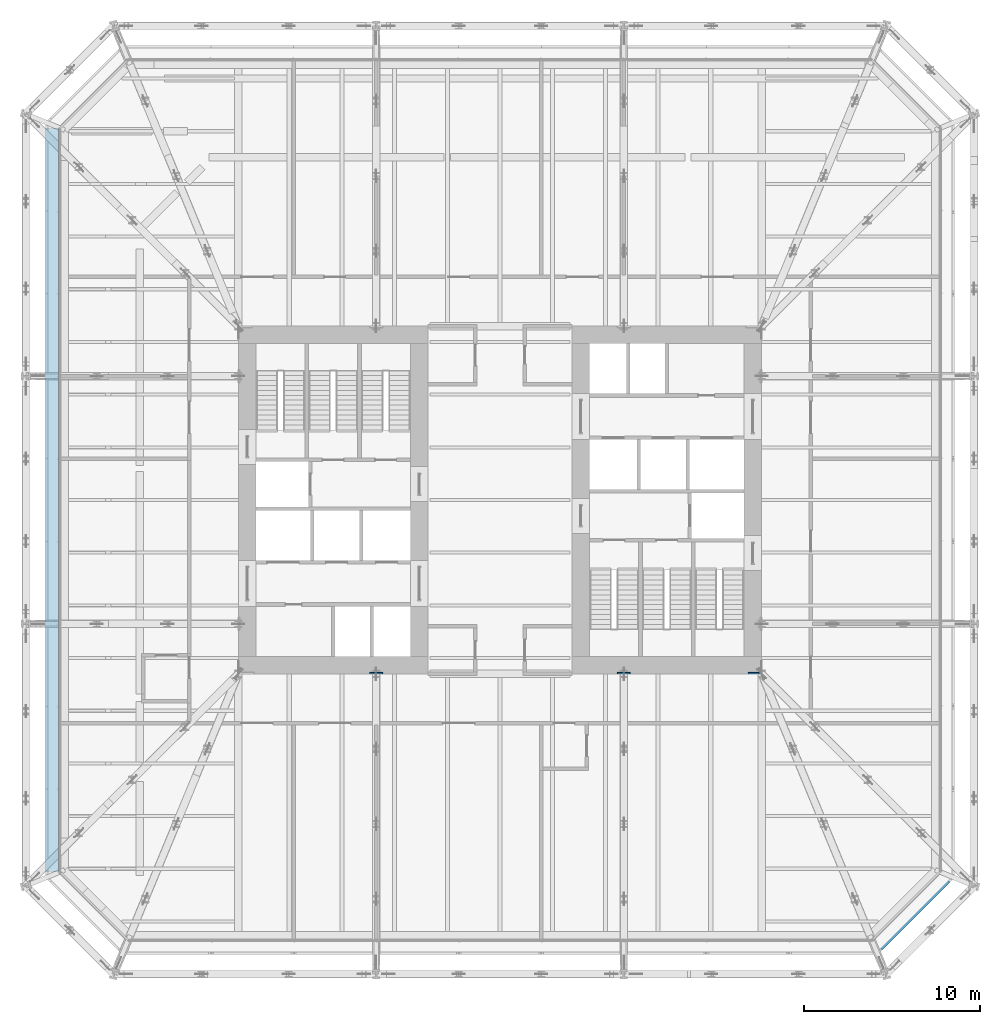
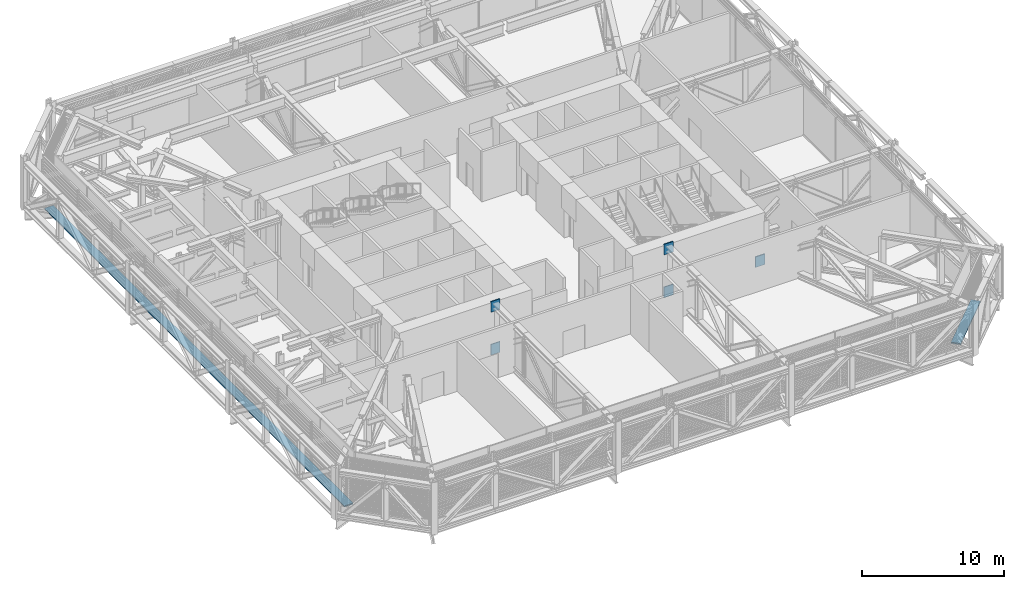
# One storey, part 26 of 33: 7 discrete accessories.
"""IFC4 building model written with IfcOpenShell, lengths in metres."""

from ifc_helpers import new_model, si_unit, direction, frame, origin, origin_2d, place, context, subcontext, project, spatial, rectangle, extrude, material, layer, layer_set, type_object, element, save


model = new_model("IFC4")

# Units and contexts
model_context = context("Model", 3, precision=1e-05, world=origin(), true_north=direction((0.0, 1.0)))
body_context = subcontext(model_context, "Body", "Model", "MODEL_VIEW")
ifc_project = project(units=[si_unit("LENGTHUNIT", "METRE"), si_unit("AREAUNIT", "SQUARE_METRE"), si_unit("VOLUMEUNIT", "CUBIC_METRE"), si_unit("PLANEANGLEUNIT", "RADIAN"), si_unit("MASSUNIT", "GRAM", prefix="KILO")], contexts=[model_context])

# Site, building, storey
site_placement = place(None, origin())
site = spatial("IfcSite", under=ifc_project, at=site_placement, CompositionType="ELEMENT")
building_placement = place(site_placement, origin())
building = spatial("IfcBuilding", under=site, at=building_placement, Name="Millrace Tower", CompositionType="ELEMENT")
storey_placement = place(building_placement, frame((0.0, 0.0, 64.10009765625)))
storey = spatial("IfcBuildingStorey", under=building, at=storey_placement, Name="L14", CompositionType="ELEMENT", Elevation=64.10009765625)

# Discrete accessories
ifc_material_1 = material(Name="Steel ASTM A572 Grade 50", Category="steel")
ifc_layer_1 = layer(ifc_material_1, 0.080078125)
ifc_layer_set_1 = layer_set([ifc_layer_1], Name="Steel ASTM A572 Grade 50")
discrete_accessory_type_1 = type_object("IfcDiscreteAccessoryType", Name="Cast-in anchor plate 740x915x80", PredefinedType="ANCHORPLATE", material=ifc_layer_set_1)
for number, where, z_axis, x_axis, name in (
    (1, (-7.050048828125, -9.820068359375, 0.25634765625), (0.0, -1.0, 0.0), (1.0, 0.0, 0.0), "Cast-in anchor plate BLT-L14-O03-B01"),
    (2, (-7.050048828125, -9.820068359375, 3.943359375), (0.0, -1.0, 0.0), (1.0, 0.0, 0.0), "Cast-in anchor plate BLT-L14-O03-T01"),
    (3, (7.050048828125, -9.820068359375, 0.25634765625), (0.0, -1.0, 0.0), (1.0, 0.0, 0.0), "Cast-in anchor plate BLT-L14-O04-B01"),
    (4, (7.050048828125, -9.820068359375, 3.943359375), (0.0, -1.0, 0.0), (1.0, 0.0, 0.0), "Cast-in anchor plate BLT-L14-O04-T01"),
):
    element("IfcDiscreteAccessory", number, at=place(storey_placement, frame(where, z_axis=z_axis, x_axis=x_axis)), inside=storey, type_object=discrete_accessory_type_1, Name=name, PredefinedType="ANCHORPLATE", context=body_context, shape_type="SweptSolid", body=[
        extrude(rectangle(XDim=0.739990234375, YDim=0.9150390625, at=origin_2d()), origin(), (0.0, 0.0, 1.0), 0.079833984375),
    ])
ifc_material_2 = material(Name="Steel ASTM A572 Grade 50", Category="steel")
ifc_layer_2 = layer(ifc_material_2, 0.080078125)
ifc_layer_set_2 = layer_set([ifc_layer_2], Name="Steel ASTM A572 Grade 50")
discrete_accessory_type_2 = type_object("IfcDiscreteAccessoryType", Name="Cast-in anchor plate 775x915x80", PredefinedType="ANCHORPLATE", material=ifc_layer_set_2)
discrete_accessory_1_placement = place(storey_placement, frame((14.512451171875, -9.820068359375, 0.25634765625), z_axis=(0.0, -1.0, 0.0), x_axis=(1.0, 0.0, 0.0)))
element("IfcDiscreteAccessory", 5, at=discrete_accessory_1_placement, inside=storey, type_object=discrete_accessory_type_2, Name="Cast-in anchor plate BLT-L14-O05-B01", PredefinedType="ANCHORPLATE", context=body_context, shape_type="SweptSolid", body=[
    extrude(rectangle(XDim=0.77490234375, YDim=0.9150390625, at=origin_2d()), origin(), (0.0, 0.0, 1.0), 0.079833984375),
])
ifc_material_3 = material(Name="Stainless steel ASTM A240 type 316", Category="steel")
discrete_accessory_type_3 = type_object("IfcDiscreteAccessoryType", Name="Thermally broken screen support rail", PredefinedType="BRACKET", material=ifc_material_3)
discrete_accessory_2_placement = place(storey_placement, frame((23.435546875, -23.435546875, -0.000244140625), z_axis=(0.0, 0.0, 1.0), x_axis=(0.707106781187, 0.707106781187, 0.0)))
element("IfcDiscreteAccessory", 6, at=discrete_accessory_2_placement, inside=storey, type_object=discrete_accessory_type_3, Name="Thermally broken screen support rail A-F03 L14 1", PredefinedType="BRACKET", context=body_context, shape_type="SweptSolid", body=[
    extrude(rectangle(XDim=5.44482421875, YDim=0.719970703125, at=origin_2d()), origin(), (0.0, 0.0, 1.0), 0.10009765625),
])
discrete_accessory_3_placement = place(storey_placement, frame((-25.510009765625, 0.0, -0.000244140625), z_axis=(0.0, 0.0, 1.0), x_axis=(0.0, -1.0, 0.0)))
element("IfcDiscreteAccessory", 7, at=discrete_accessory_3_placement, inside=storey, type_object=discrete_accessory_type_3, Name="Thermally broken screen support rail A-F08 L14 1", PredefinedType="BRACKET", context=body_context, shape_type="SweptSolid", body=[
    extrude(rectangle(XDim=42.300048828125, YDim=0.719970703125, at=origin_2d()), origin(), (0.0, 0.0, 1.0), 0.10009765625),
])

save(model, "model.ifc")
